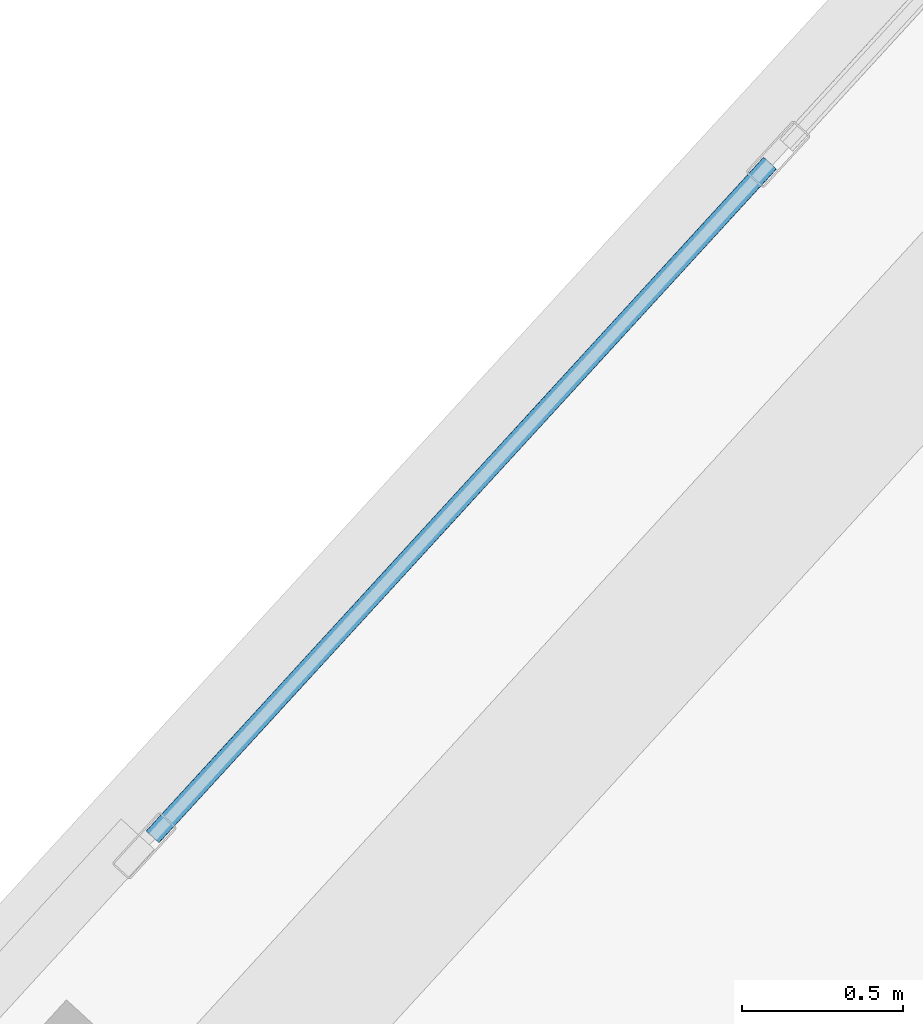
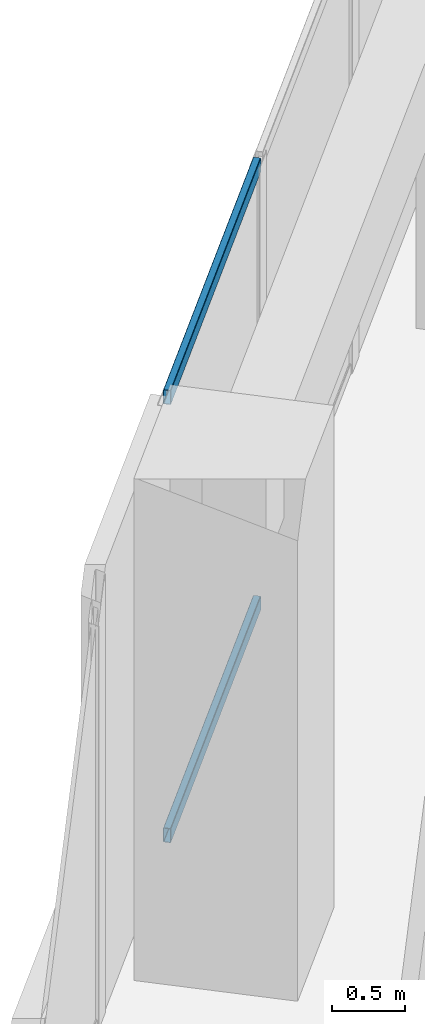
# One storey, part 5 of 18: 2 members, 1 element without a shape of its own.
"""IFC4 building model written with IfcOpenShell, lengths in metres."""

from ifc_helpers import new_model, si_unit, direction, frame, origin, origin_2d, place, context, subcontext, project, spatial, hollow_rectangle, extrude, source, transform, mapped, material, material_profile, profile_set, type_object, element, aggregate, save


model = new_model("IFC4")

# Units and contexts
model_context = context("Model", 3, precision=1e-05, world=origin(), true_north=direction((0.0, 1.0)))
body_context = subcontext(model_context, "Body", "Model", "MODEL_VIEW")
ifc_project = project(units=[si_unit("LENGTHUNIT", "METRE"), si_unit("AREAUNIT", "SQUARE_METRE"), si_unit("VOLUMEUNIT", "CUBIC_METRE"), si_unit("PLANEANGLEUNIT", "RADIAN"), si_unit("MASSUNIT", "GRAM", prefix="KILO")], contexts=[model_context])

# Site, building, storey
site_placement = place(None, origin())
site = spatial("IfcSite", under=ifc_project, at=site_placement, CompositionType="ELEMENT")
building_placement = place(site_placement, origin())
building = spatial("IfcBuilding", under=site, at=building_placement, Name="Torre Montelarca", CompositionType="ELEMENT")
storey_placement = place(building_placement, frame((0.0, 0.0, 233.199951171875)))
storey = spatial("IfcBuildingStorey", under=building, at=storey_placement, Name="L52", CompositionType="ELEMENT", Elevation=233.199951171875)

# Curtain wall, members
ifc_material_1 = material(Name="Insulated low-E laminated glass", Category="glass")
curtain_wall_type = type_object("IfcCurtainWallType", Name="CW-SYS-Z3", PredefinedType="USERDEFINED", material=ifc_material_1)
curtain_wall_placement = place(storey_placement, origin())
curtain_wall = element("IfcCurtainWall", 1, at=curtain_wall_placement, inside=storey, type_object=curtain_wall_type, Name="L52 Curtain Wall Run CW-T3-L52-E10-B2", ObjectType="UNITISED GLAZING", PredefinedType="USERDEFINED")
ifc_material_2 = material(Name="Anodised aluminium AA 6063-T6", Category="aluminium")
ifc_material_profile = material_profile(ifc_material_2, hollow_rectangle(XDim=0.054931640625, YDim=0.1201171875, WallThickness=0.00341796875, InnerFilletRadius=0.00341796875, OuterFilletRadius=0.007080078125, at=origin_2d()), Name="ALU55X120X3.5", Category="aluminium")
ifc_profile_set = profile_set([ifc_material_profile], Name="Anodised aluminium AA 6063-T6")
member_type = type_object("IfcMemberType", Name="CWT-ALU120", PredefinedType="USERDEFINED", material=ifc_profile_set)
shared_shape = source(origin(), body_context, "Body", "SweptSolid", [
    extrude(hollow_rectangle(XDim=0.054931640625, YDim=0.1201171875, WallThickness=0.00341796875, InnerFilletRadius=0.00341796875, OuterFilletRadius=0.007080078125, at=origin_2d()), origin(), (0.0, 0.0, 1.0), 2.844970703125),
])
member_1_placement = place(storey_placement, frame((5.826904296875, 40.902587890625, 0.027587890625), z_axis=(-0.675627472733, -0.737243187889, 0.0), x_axis=(0.737243187889, -0.675627472733, 0.0)))
member_1 = element("IfcMember", 2, at=member_1_placement, type_object=member_type, Name="CW transom 2.1", ObjectType="TRANSOM", PredefinedType="USERDEFINED", context=body_context, shape_type="MappedRepresentation", body=[
    mapped(shared_shape, transform((0.0, 0.0, 0.0), scale=1.0)),
])
member_2_placement = place(storey_placement, frame((5.826904296875, 40.902587890625, 3.692626953125), z_axis=(-0.675627472733, -0.737243187889, 0.0), x_axis=(0.737243187889, -0.675627472733, 0.0)))
member_2 = element("IfcMember", 3, at=member_2_placement, type_object=member_type, Name="CW transom 2.2", ObjectType="TRANSOM", PredefinedType="USERDEFINED", context=body_context, shape_type="MappedRepresentation", body=[
    mapped(shared_shape, transform((0.0, 0.0, 0.0), scale=1.0)),
])
aggregate(curtain_wall, [member_1, member_2])

save(model, "model.ifc")
